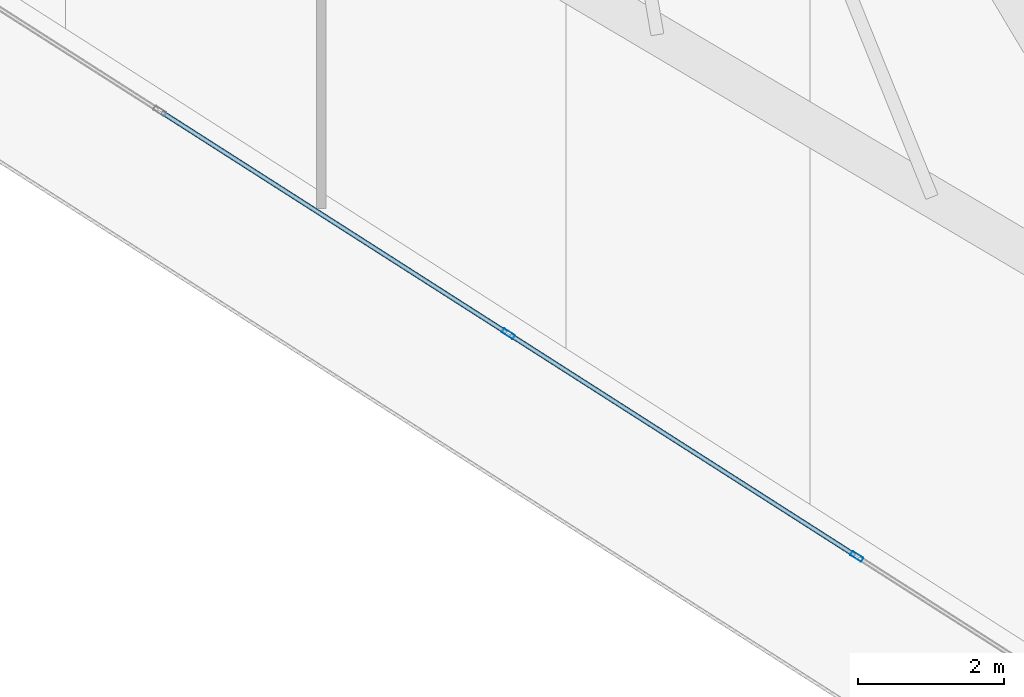
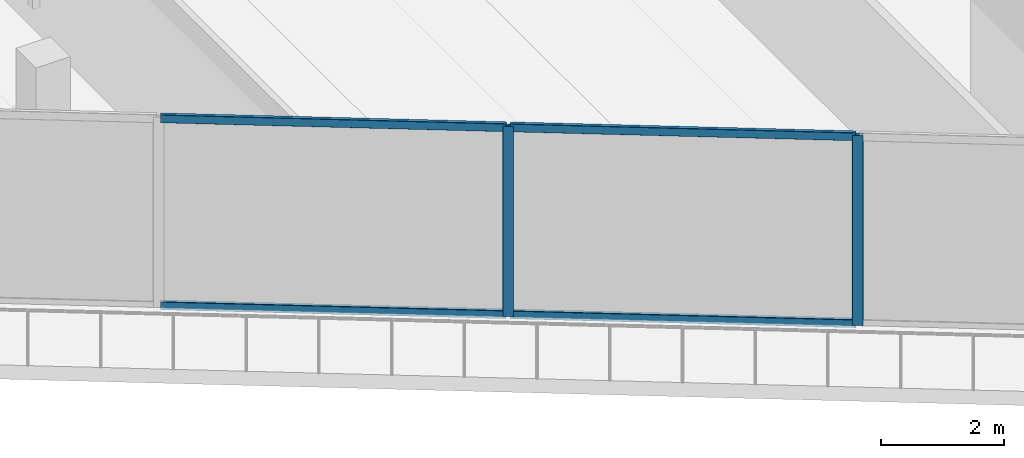
# One storey, part 7 of 42: 6 members, 1 element without a shape of its own.
"""IFC4 building model written with IfcOpenShell, lengths in metres."""

from ifc_helpers import new_model, si_unit, direction, frame, origin, origin_2d, place, context, subcontext, project, spatial, hollow_rectangle, extrude, material, layer, layer_set, material_profile, profile_set, type_object, element, aggregate, save


model = new_model("IFC4")

# Units and contexts
model_context = context("Model", 3, precision=1e-05, world=origin(), true_north=direction((0.0, 1.0)))
body_context = subcontext(model_context, "Body", "Model", "MODEL_VIEW")
ifc_project = project(units=[si_unit("LENGTHUNIT", "METRE"), si_unit("AREAUNIT", "SQUARE_METRE"), si_unit("VOLUMEUNIT", "CUBIC_METRE"), si_unit("PLANEANGLEUNIT", "RADIAN"), si_unit("MASSUNIT", "GRAM", prefix="KILO")], contexts=[model_context])

# Site, building, storey
site_placement = place(None, origin())
site = spatial("IfcSite", under=ifc_project, at=site_placement, CompositionType="ELEMENT")
building_placement = place(site_placement, origin())
building = spatial("IfcBuilding", under=site, at=building_placement, Name="Qorvath Tower", CompositionType="ELEMENT")
storey_placement = place(building_placement, frame((0.0, 0.0, 117.89990234375)))
storey = spatial("IfcBuildingStorey", under=building, at=storey_placement, Name="L26", CompositionType="ELEMENT", Elevation=117.89990234375)

# Curtain wall, members
ifc_material_1 = material(Name="Anodised aluminium and triple low-E glass", Category="aluminium")
ifc_layer = layer(ifc_material_1, 0.179931640625)
ifc_layer_set = layer_set([ifc_layer], Name="CW-SYS-2")
curtain_wall_type = type_object("IfcCurtainWallType", Name="CW-SYS-2", PredefinedType="NOTDEFINED", material=ifc_layer_set)
curtain_wall_placement = place(storey_placement, origin())
curtain_wall = element("IfcCurtainWall", 1, at=curtain_wall_placement, inside=storey, type_object=curtain_wall_type, Name="Curtain Wall CW-2 CW-T-L26-2.2", PredefinedType="NOTDEFINED")
ifc_material_2 = material(Name="Anodised aluminium 6063-T6", Category="aluminium")
ifc_material_profile_1 = material_profile(ifc_material_2, hollow_rectangle(XDim=0.06494140625, YDim=0.179931640625, WallThickness=0.00341796875, InnerFilletRadius=0.00341796875, OuterFilletRadius=0.007080078125, at=origin_2d()), Name="CWM 180x65")
ifc_profile_set_1 = profile_set([ifc_material_profile_1], Name="Anodised aluminium 6063-T6")
member_type_1 = type_object("IfcMemberType", Name="CWM-180", PredefinedType="MULLION", material=ifc_profile_set_1)
member_1_placement = place(storey_placement, frame((-25.30908203125, -24.671630859375, 0.0), z_axis=(0.0, 0.0, 1.0), x_axis=(0.538536165559, 0.84260239638, 0.0)))
member_1 = element("IfcMember", 2, at=member_1_placement, type_object=member_type_1, Name="CW-2 mullion 3", PredefinedType="MULLION", context=body_context, shape_type="SweptSolid", body=[
    extrude(hollow_rectangle(XDim=0.06494140625, YDim=0.179931640625, WallThickness=0.00341796875, InnerFilletRadius=0.00341796875, OuterFilletRadius=0.007080078125, at=origin_2d()), origin(), (0.0, 0.0, 1.0), 3.77001953125),
])
member_2_placement = place(storey_placement, frame((-20.52294921875, -27.73046875, 0.0), z_axis=(0.0, 0.0, 1.0), x_axis=(0.538536165559, 0.84260239638, 0.0)))
member_2 = element("IfcMember", 3, at=member_2_placement, type_object=member_type_1, Name="CW-2 mullion 4", PredefinedType="MULLION", context=body_context, shape_type="SweptSolid", body=[
    extrude(hollow_rectangle(XDim=0.06494140625, YDim=0.179931640625, WallThickness=0.00341796875, InnerFilletRadius=0.00341796875, OuterFilletRadius=0.007080078125, at=origin_2d()), origin(), (0.0, 0.0, 1.0), 3.77001953125),
])
ifc_material_3 = material(Name="Anodised aluminium 6063-T6", Category="aluminium")
ifc_material_profile_2 = material_profile(ifc_material_3, hollow_rectangle(XDim=0.06494140625, YDim=0.159912109375, WallThickness=0.00341796875, InnerFilletRadius=0.00341796875, OuterFilletRadius=0.007080078125, at=origin_2d()), Name="CWT 160x65")
ifc_profile_set_2 = profile_set([ifc_material_profile_2], Name="Anodised aluminium 6063-T6")
member_type_2 = type_object("IfcMemberType", Name="CWT-160", PredefinedType="USERDEFINED", material=ifc_profile_set_2)
member_3_placement = place(storey_placement, frame((-30.068115234375, -21.630126953125, 0.032470703125), z_axis=(0.842610769528, -0.538523064571, 0.0), x_axis=(0.538523064571, 0.842610769528, 0.0)))
member_3 = element("IfcMember", 4, at=member_3_placement, type_object=member_type_2, Name="CW-2 transom 2.1", ObjectType="TRANSOM", PredefinedType="USERDEFINED", context=body_context, shape_type="SweptSolid", body=[
    extrude(hollow_rectangle(XDim=0.06494140625, YDim=0.159912109375, WallThickness=0.00341796875, InnerFilletRadius=0.00341796875, OuterFilletRadius=0.007080078125, at=origin_2d()), origin(), (0.0, 0.0, 1.0), 5.615234375),
])
member_4_placement = place(storey_placement, frame((-30.068115234375, -21.630126953125, 3.737548828125), z_axis=(0.842610769528, -0.538523064571, 0.0), x_axis=(0.538523064571, 0.842610769528, 0.0)))
member_4 = element("IfcMember", 5, at=member_4_placement, type_object=member_type_2, Name="CW-2 transom 2.2", ObjectType="TRANSOM", PredefinedType="USERDEFINED", context=body_context, shape_type="SweptSolid", body=[
    extrude(hollow_rectangle(XDim=0.06494140625, YDim=0.159912109375, WallThickness=0.00341796875, InnerFilletRadius=0.00341796875, OuterFilletRadius=0.007080078125, at=origin_2d()), origin(), (0.0, 0.0, 1.0), 5.615234375),
])
member_5_placement = place(storey_placement, frame((-25.28173828125, -24.68896484375, 0.032470703125), z_axis=(0.842591040449, -0.538553932819, 0.0), x_axis=(0.538553932819, 0.842591040449, 0.0)))
member_5 = element("IfcMember", 6, at=member_5_placement, type_object=member_type_2, Name="CW-2 transom 3.1", ObjectType="TRANSOM", PredefinedType="USERDEFINED", context=body_context, shape_type="SweptSolid", body=[
    extrude(hollow_rectangle(XDim=0.06494140625, YDim=0.159912109375, WallThickness=0.00341796875, InnerFilletRadius=0.00341796875, OuterFilletRadius=0.007080078125, at=origin_2d()), origin(), (0.0, 0.0, 1.0), 5.615234375),
])
member_6_placement = place(storey_placement, frame((-25.28173828125, -24.68896484375, 3.737548828125), z_axis=(0.842591040449, -0.538553932819, 0.0), x_axis=(0.538553932819, 0.842591040449, 0.0)))
member_6 = element("IfcMember", 7, at=member_6_placement, type_object=member_type_2, Name="CW-2 transom 3.2", ObjectType="TRANSOM", PredefinedType="USERDEFINED", context=body_context, shape_type="SweptSolid", body=[
    extrude(hollow_rectangle(XDim=0.06494140625, YDim=0.159912109375, WallThickness=0.00341796875, InnerFilletRadius=0.00341796875, OuterFilletRadius=0.007080078125, at=origin_2d()), origin(), (0.0, 0.0, 1.0), 5.615234375),
])
aggregate(curtain_wall, [member_1, member_2, member_3, member_4, member_5, member_6])

save(model, "model.ifc")
